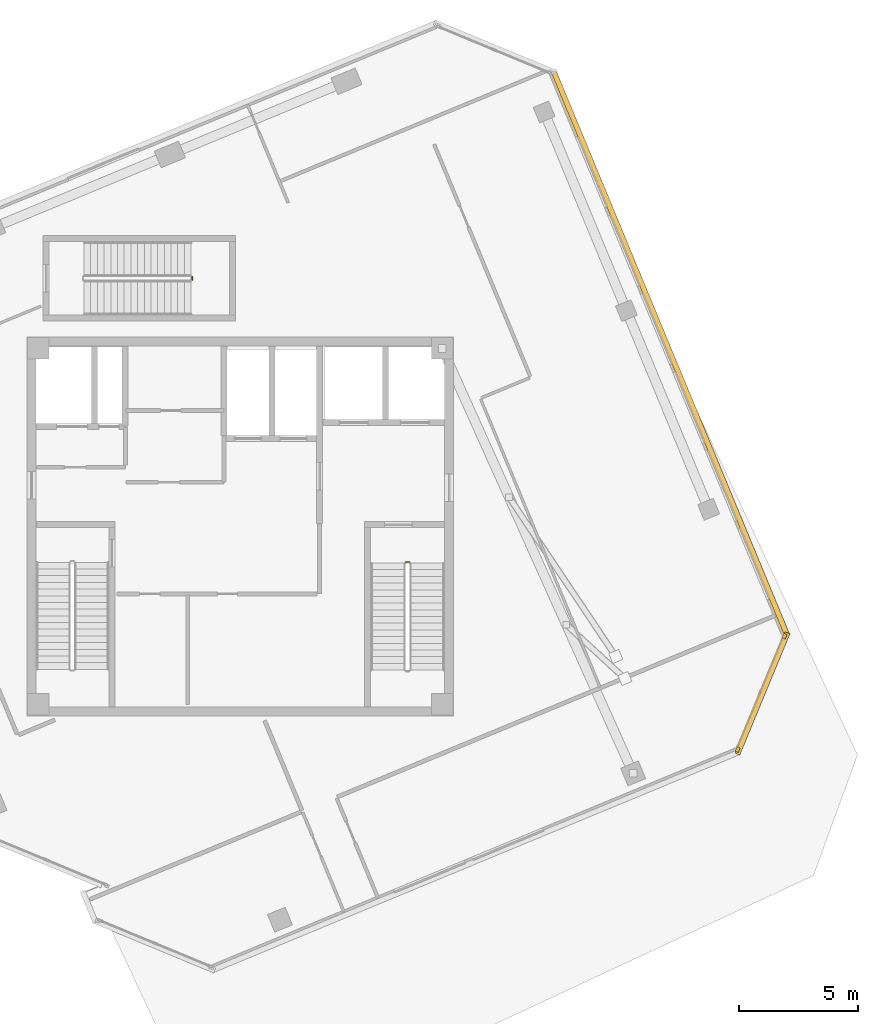
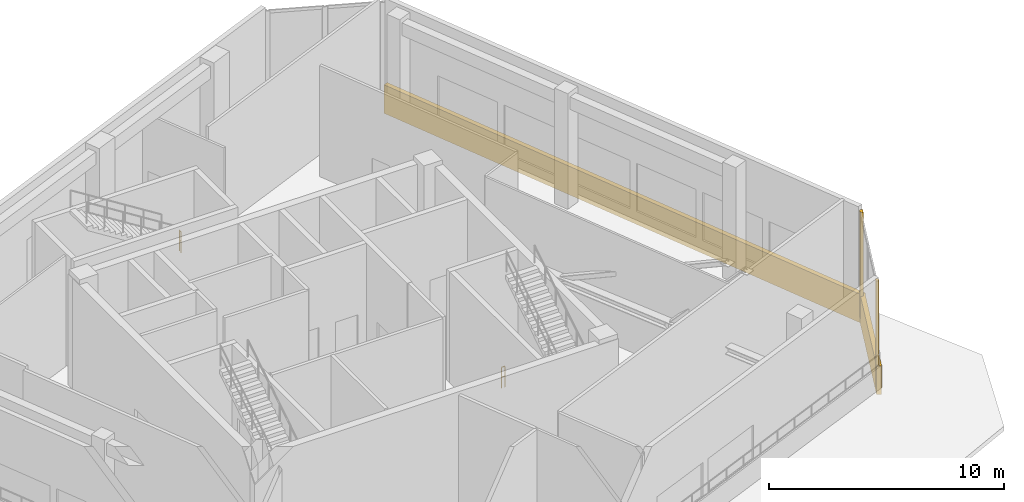
# One storey, part 15 of 16: 4 coverings, 2 railings.
"""IFC4 building model written with IfcOpenShell, lengths in metres."""

from ifc_helpers import new_model, si_unit, direction, frame, origin, origin_2d, place, context, subcontext, project, spatial, rectangle, circle, extrude, source, transform, mapped, material, layer, layer_set, type_object, element, save


model = new_model("IFC4")

# Units and contexts
model_context = context("Model", 3, precision=1e-05, world=origin(), true_north=direction((0.0, 1.0)))
body_context = subcontext(model_context, "Body", "Model", "MODEL_VIEW")
ifc_project = project(units=[si_unit("LENGTHUNIT", "METRE"), si_unit("AREAUNIT", "SQUARE_METRE"), si_unit("VOLUMEUNIT", "CUBIC_METRE"), si_unit("PLANEANGLEUNIT", "RADIAN"), si_unit("MASSUNIT", "GRAM", prefix="KILO")], contexts=[model_context])

# Site, building, storey
site_placement = place(None, origin())
site = spatial("IfcSite", under=ifc_project, at=site_placement, CompositionType="ELEMENT")
building_placement = place(site_placement, origin())
building = spatial("IfcBuilding", under=site, at=building_placement, Name="Torre Montelarca", CompositionType="ELEMENT")
storey_placement = place(building_placement, frame((0.0, 0.0, 349.199951171875)))
storey = spatial("IfcBuildingStorey", under=building, at=storey_placement, Name="L79", CompositionType="ELEMENT", Elevation=349.199951171875)

# Railings
ifc_material_1 = material(Name="Powder-coated steel ASTM A500 Grade C", Category="steel")
railing_type = type_object("IfcRailingType", Name="RL-GUARD-1100", PredefinedType="BALUSTRADE", material=ifc_material_1)
railing_1_placement = place(storey_placement, frame((24.919921875, 30.52001953125, 0.0)))
element("IfcRailing", 1, at=railing_1_placement, inside=storey, type_object=railing_type, Name="L79 ST2 stair guard 4", PredefinedType="BALUSTRADE", context=body_context, shape_type="SweptSolid", body=[
    extrude(circle(Radius=0.02392578125, at=origin_2d()), frame((0.0, 0.0, 1.076171875), z_axis=(1.0, 0.0, 0.0), x_axis=(0.0, 1.0, 0.0)), (0.0, 0.0, 1.0), 0.150146484375),
    extrude(circle(Radius=0.02099609375, at=origin_2d()), frame((0.0, 0.0, 0.572021484375), z_axis=(1.0, 0.0, 0.0), x_axis=(0.0, 1.0, 0.0)), (0.0, 0.0, 1.0), 0.150146484375),
    extrude(circle(Radius=0.02099609375, at=origin_2d()), origin(), (0.0, 0.0, 1.0), 1.052001953125),
    extrude(circle(Radius=0.02099609375, at=origin_2d()), frame((0.150146484375, 0.0, 0.0)), (0.0, 0.0, 1.0), 1.052001953125),
])
railing_2_placement = place(storey_placement, frame((15.989990234375, 42.31005859375, 3.0)))
element("IfcRailing", 2, at=railing_2_placement, inside=storey, type_object=railing_type, Name="L79 ST5 stair guard 2", PredefinedType="BALUSTRADE", context=body_context, shape_type="SweptSolid", body=[
    extrude(circle(Radius=0.02392578125, at=origin_2d()), frame((0.0, 0.0, 1.076171875), z_axis=(0.0, 1.0, 0.0), x_axis=(-1.0, 0.0, 0.0)), (0.0, 0.0, 1.0), 0.14990234375),
    extrude(circle(Radius=0.02099609375, at=origin_2d()), frame((0.0, 0.0, 0.572021484375), z_axis=(0.0, 1.0, 0.0), x_axis=(-1.0, 0.0, 0.0)), (0.0, 0.0, 1.0), 0.14990234375),
    extrude(circle(Radius=0.02099609375, at=origin_2d()), origin(), (0.0, 0.0, 1.0), 1.052001953125),
    extrude(circle(Radius=0.02099609375, at=origin_2d()), frame((0.0, 0.14990234375, 0.0)), (0.0, 0.0, 1.0), 1.052001953125),
])

# Coverings
ifc_material_2 = material(Name="Bush-hammered warm white precast concrete C45/55", Category="concrete")
ifc_layer = layer(ifc_material_2, 0.139892578125, Name="Bush-hammered warm white precast concrete C45/55", Category="concrete")
ifc_layer_set = layer_set([ifc_layer], Name="Bush-hammered warm white precast concrete C45/55")
covering_type = type_object("IfcCoveringType", Name="COV-TRAY-CLAD", PredefinedType="CLADDING", material=ifc_layer_set)
shared_shape_1 = source(origin(), body_context, "Body", "SweptSolid", [
    extrude(rectangle(XDim=0.199951171875, YDim=0.139892578125, at=origin_2d()), origin(), (0.0, 0.0, 1.0), 5.52001953125),
])
for number, where, z_axis, x_axis, name in (
    (3, (38.810546875, 22.658935546875, 0.0), (0.0, 0.0, 1.0), (0.382689882252, 0.923876860854, 0.0), "L79 Architectural Column Pier Cladding E07-1"),
    (4, (40.778564453125, 27.409912109375, 0.0), (0.0, 0.0, 1.0), (0.382689882252, 0.923876860854, 0.0), "L79 Architectural Column Pier Cladding E07-2"),
):
    element("IfcCovering", number, at=place(storey_placement, frame(where, z_axis=z_axis, x_axis=x_axis)), inside=storey, type_object=covering_type, Name=name, PredefinedType="CLADDING", context=body_context, shape_type="MappedRepresentation", body=[
        mapped(shared_shape_1, transform((0.0, 0.0, 0.0), scale=1.0)),
    ])
shared_shape_2 = source(origin(), body_context, "Body", "SweptSolid", [
    extrude(rectangle(XDim=5.494140625, YDim=0.219970703125, at=origin_2d()), origin(), (0.0, 0.0, 1.0), 1.47998046875),
])
covering_1_placement = place(storey_placement, frame((39.85009765625, 25.011474609375, -0.31982421875), z_axis=(0.0, 0.0, 1.0), x_axis=(0.382688269782, 0.923877528773, 0.0)))
element("IfcCovering", 5, at=covering_1_placement, inside=storey, type_object=covering_type, Name="L79 Architectural White Spandrel Tray Band DMPRNG-07", PredefinedType="CLADDING", context=body_context, shape_type="MappedRepresentation", body=[
    mapped(shared_shape_2, transform((0.0, 0.0, 0.0), scale=1.0)),
])
shared_shape_3 = source(origin(), body_context, "Body", "SweptSolid", [
    extrude(rectangle(XDim=25.6201171875, YDim=0.219970703125, at=origin_2d()), origin(), (0.0, 0.0, 1.0), 1.47998046875),
])
covering_2_placement = place(storey_placement, frame((35.9990234375, 39.25048828125, -0.31982421875), z_axis=(0.0, 0.0, 1.0), x_axis=(-0.382686657311, 0.923878196688, 0.0)))
element("IfcCovering", 6, at=covering_2_placement, inside=storey, type_object=covering_type, Name="L79 Architectural White Spandrel Tray Band DMPRNG-08", PredefinedType="CLADDING", context=body_context, shape_type="MappedRepresentation", body=[
    mapped(shared_shape_3, transform((0.0, 0.0, 0.0), scale=1.0)),
])

save(model, "model.ifc")
